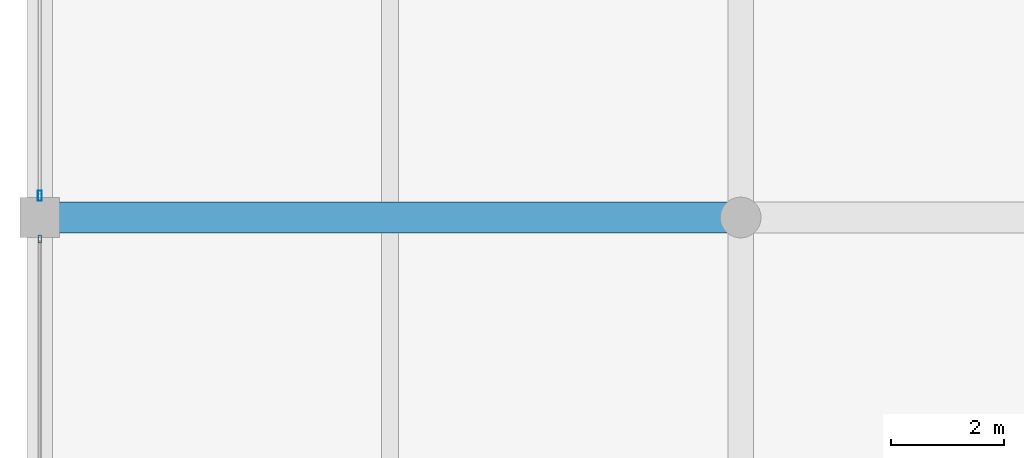
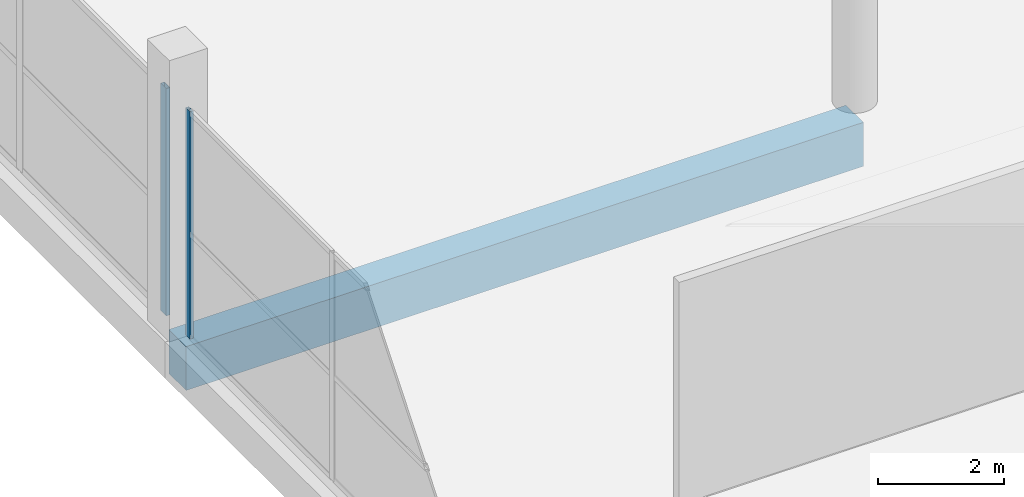
# One storey, part 24 of 74: 2 members, 1 beam, 2 elements without a shape of their own.
"""IFC4 building model written with IfcOpenShell, lengths in metres."""

from ifc_helpers import new_model, si_unit, direction, frame, origin, origin_2d, place, context, subcontext, project, spatial, rectangle, hollow_rectangle, extrude, material, layer, layer_set, material_profile, profile_set, type_object, element, aggregate, save


model = new_model("IFC4")

# Units and contexts
model_context = context("Model", 3, precision=1e-05, world=origin(), true_north=direction((0.0, 1.0)))
body_context = subcontext(model_context, "Body", "Model", "MODEL_VIEW")
ifc_project = project(units=[si_unit("LENGTHUNIT", "METRE"), si_unit("AREAUNIT", "SQUARE_METRE"), si_unit("VOLUMEUNIT", "CUBIC_METRE"), si_unit("PLANEANGLEUNIT", "RADIAN"), si_unit("MASSUNIT", "GRAM", prefix="KILO")], contexts=[model_context])

# Site, building, storey
site_placement = place(None, origin())
site = spatial("IfcSite", under=ifc_project, at=site_placement, CompositionType="ELEMENT")
building_placement = place(site_placement, origin())
building = spatial("IfcBuilding", under=site, at=building_placement, Name="Sillaruma Civic Art Gallery", CompositionType="ELEMENT")
storey_placement = place(building_placement, frame((0.0, 0.0, 5.43994140625)))
storey = spatial("IfcBuildingStorey", under=building, at=storey_placement, Name="L01", CompositionType="ELEMENT", Elevation=5.43994140625)

# Beam
ifc_material_1 = material(Name="Concrete H40 (40 MPa)", Category="concrete")
ifc_material_profile_1 = material_profile(ifc_material_1, rectangle(XDim=0.550048828125, YDim=0.85009765625, at=origin_2d()), Name="RCB550x850")
ifc_profile_set_1 = profile_set([ifc_material_profile_1], Name="Concrete H40 (40 MPa)")
beam_type = type_object("IfcBeamType", Name="BM-BEAM-RCB550x850", PredefinedType="BEAM", material=ifc_profile_set_1)
beam_placement = place(storey_placement, frame((0.0, 99.0, -0.68505859375), z_axis=(1.0, 0.0, 0.0), x_axis=(0.0, 1.0, 0.0)))
element("IfcBeam", 1, at=beam_placement, inside=storey, type_object=beam_type, Name="Beam BM-01 (L00:11:A-B)", PredefinedType="BEAM", context=body_context, shape_type="SweptSolid", body=[
    extrude(rectangle(XDim=0.550048828125, YDim=0.85009765625, at=origin_2d()), origin(), (0.0, 0.0, 1.0), 12.39990234375),
])

# Curtain wall, member
ifc_material_2 = material(Name="Thermally Broken Extruded Aluminium 6063-T6", Category="aluminium")
ifc_layer_1 = layer(ifc_material_2, 0.139892578125, Name="Thermally Broken Extruded Aluminium 6063-T6")
ifc_layer_set_1 = layer_set([ifc_layer_1], Name="Thermally Broken Extruded Aluminium 6063-T6")
curtain_wall_type_1 = type_object("IfcCurtainWallType", Name="CW-UNI-08", PredefinedType="NOTDEFINED", material=ifc_layer_set_1)
curtain_wall_1_placement = place(storey_placement, origin())
curtain_wall_1 = element("IfcCurtainWall", 2, at=curtain_wall_1_placement, inside=storey, type_object=curtain_wall_type_1, Name="Unitised Curtain Wall CW-08 (CW-L01-WSTR-2)", PredefinedType="NOTDEFINED")
ifc_material_profile_2 = material_profile(ifc_material_2, hollow_rectangle(XDim=0.06005859375, YDim=0.139892578125, WallThickness=0.00341796875, at=origin_2d()), Name="CWM60x140")
ifc_profile_set_2 = profile_set([ifc_material_profile_2], Name="Thermally Broken Extruded Aluminium 6063-T6")
member_type_1 = type_object("IfcMemberType", Name="MEM-MUL-CWM60x140", PredefinedType="MULLION", material=ifc_profile_set_2)
member_1_placement = place(storey_placement, frame((0.0, 98.6201171875, 0.0), z_axis=(0.0, 0.0, 1.0), x_axis=(-1.0, 0.0, 0.0)))
member_1 = element("IfcMember", 3, at=member_1_placement, type_object=member_type_1, Name="CW-08 mullion 3", PredefinedType="MULLION", context=body_context, shape_type="SweptSolid", body=[
    extrude(hollow_rectangle(XDim=0.06005859375, YDim=0.139892578125, WallThickness=0.00341796875, at=origin_2d()), origin(), (0.0, 0.0, 1.0), 4.400146484375),
])
aggregate(curtain_wall_1, [member_1])

ifc_layer_2 = layer(ifc_material_2, 0.179931640625, Name="Thermally Broken Extruded Aluminium 6063-T6")
ifc_layer_set_2 = layer_set([ifc_layer_2], Name="Thermally Broken Extruded Aluminium 6063-T6")
curtain_wall_type_2 = type_object("IfcCurtainWallType", Name="CW-UNI-09", PredefinedType="NOTDEFINED", material=ifc_layer_set_2)
curtain_wall_2_placement = place(storey_placement, origin())
curtain_wall_2 = element("IfcCurtainWall", 4, at=curtain_wall_2_placement, inside=storey, type_object=curtain_wall_type_2, Name="Unitised Curtain Wall CW-09 (CW-L01-WSTR-3)", PredefinedType="NOTDEFINED")
ifc_material_profile_3 = material_profile(ifc_material_2, hollow_rectangle(XDim=0.070068359375, YDim=0.179931640625, WallThickness=0.00390625, at=origin_2d()), Name="CWM70x180")
ifc_profile_set_3 = profile_set([ifc_material_profile_3], Name="Thermally Broken Extruded Aluminium 6063-T6")
member_type_2 = type_object("IfcMemberType", Name="MEM-MUL-CWM70x180", PredefinedType="MULLION", material=ifc_profile_set_3)
member_2_placement = place(storey_placement, frame((0.0, 99.385009765625, 0.0), z_axis=(0.0, 0.0, 1.0), x_axis=(-1.0, 0.0, 0.0)))
member_2 = element("IfcMember", 5, at=member_2_placement, type_object=member_type_2, Name="CW-09 mullion 1", PredefinedType="MULLION", context=body_context, shape_type="SweptSolid", body=[
    extrude(hollow_rectangle(XDim=0.070068359375, YDim=0.179931640625, WallThickness=0.00390625, at=origin_2d()), origin(), (0.0, 0.0, 1.0), 4.400146484375),
])
aggregate(curtain_wall_2, [member_2])

save(model, "model.ifc")
